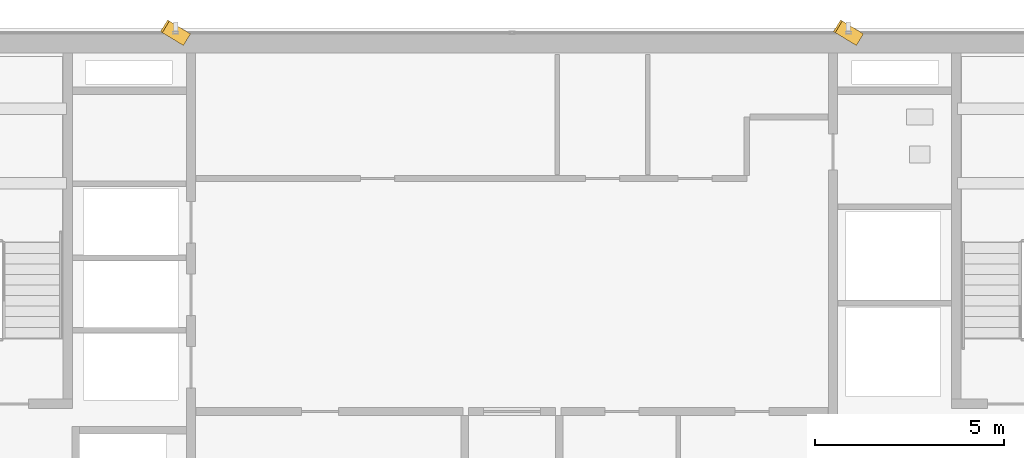
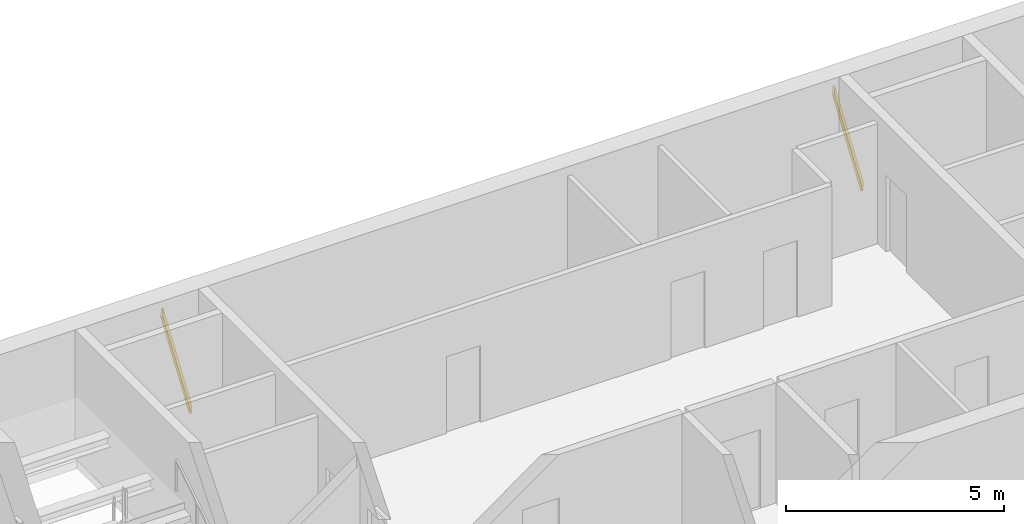
# One storey, part 21 of 22: 2 shading devices.
"""IFC4 building model written with IfcOpenShell, lengths in metres."""

from ifc_helpers import new_model, si_unit, direction, frame, origin, origin_2d, place, context, subcontext, project, spatial, rectangle, extrude, source, transform, mapped, material, material_profile, profile_set, type_object, element, save


model = new_model("IFC4")

# Units and contexts
model_context = context("Model", 3, precision=1e-05, world=origin(), true_north=direction((0.0, 1.0)))
body_context = subcontext(model_context, "Body", "Model", "MODEL_VIEW")
ifc_project = project(units=[si_unit("LENGTHUNIT", "METRE"), si_unit("AREAUNIT", "SQUARE_METRE"), si_unit("VOLUMEUNIT", "CUBIC_METRE"), si_unit("PLANEANGLEUNIT", "RADIAN"), si_unit("MASSUNIT", "GRAM", prefix="KILO")], contexts=[model_context])

# Site, building, storey
site_placement = place(None, origin())
site = spatial("IfcSite", under=ifc_project, at=site_placement, CompositionType="ELEMENT")
building_placement = place(site_placement, origin())
building = spatial("IfcBuilding", under=site, at=building_placement, Name="Sumidabori Civic Tower", CompositionType="ELEMENT")
storey_placement = place(building_placement, frame((0.0, 0.0, 279.199951171875)))
storey = spatial("IfcBuildingStorey", under=building, at=storey_placement, Name="L73", CompositionType="ELEMENT", Elevation=279.199951171875)

# Shading devices
ifc_material = material(Name="Anodised Bronze Aluminium AW-6063-T6", Category="aluminium")
ifc_material_profile = material_profile(ifc_material, rectangle(XDim=0.054931640625, YDim=0.360107421875, at=origin_2d()), Name="BRONZE FIN 360x55")
ifc_profile_set = profile_set([ifc_material_profile], Name="Anodised Bronze Aluminium AW-6063-T6")
shading_device_type = type_object("IfcShadingDeviceType", Name="SH-FIN-360", PredefinedType="USERDEFINED", material=ifc_profile_set)
shared_shape = source(origin(), body_context, "Body", "SweptSolid", [
    extrude(rectangle(XDim=0.054931640625, YDim=0.360107421875, at=origin_2d()), origin(), (0.0, 0.0, 1.0), 2.7685546875),
])
for number, where, z_axis, x_axis, name in (
    (1, (9.18994140625, 23.909912109375, 0.02001953125), (-0.202289930374, 0.122837782481, 0.971591304646), (0.830469701518, -0.504291322674, 0.236665030656), "Bronze Anodised Diagonal Fin L73-01"),
    (2, (-8.6298828125, 23.909912109375, 0.02001953125), (-0.202289930374, 0.122837782481, 0.971591304646), (0.830469701518, -0.504291322674, 0.236665030656), "Bronze Anodised Diagonal Fin L73-03"),
):
    element("IfcShadingDevice", number, at=place(storey_placement, frame(where, z_axis=z_axis, x_axis=x_axis)), inside=storey, type_object=shading_device_type, Name=name, ObjectType="FIN", PredefinedType="USERDEFINED", context=body_context, shape_type="MappedRepresentation", body=[
        mapped(shared_shape, transform((0.0, 0.0, 0.0), x_axis=(1.0, 0.0, 0.0), y_axis=(0.0, 1.0, 0.0), z_axis=(0.0, 0.0, 1.0), scale=1.0)),
    ])

save(model, "model.ifc")
